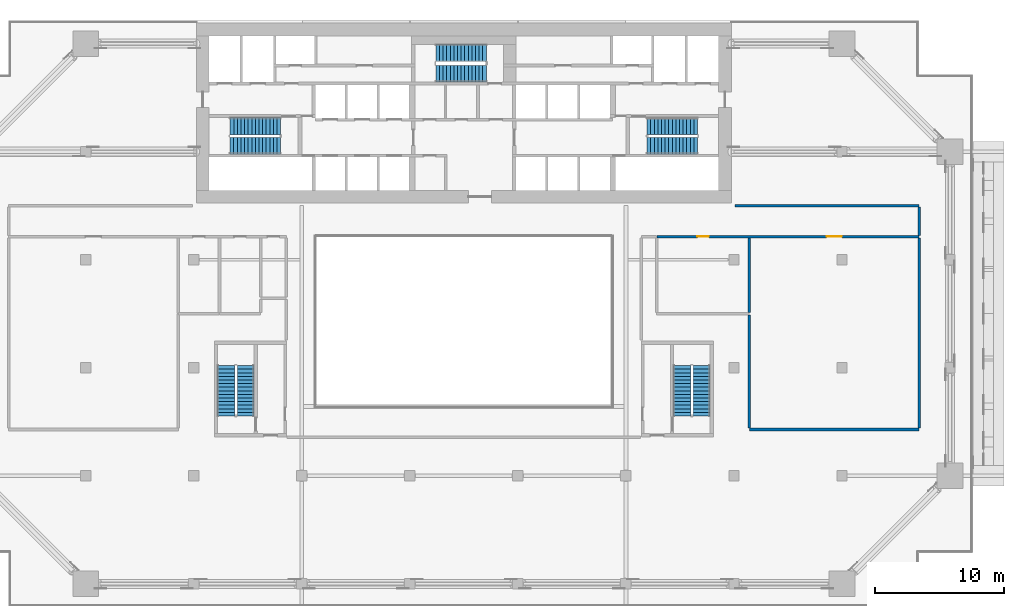
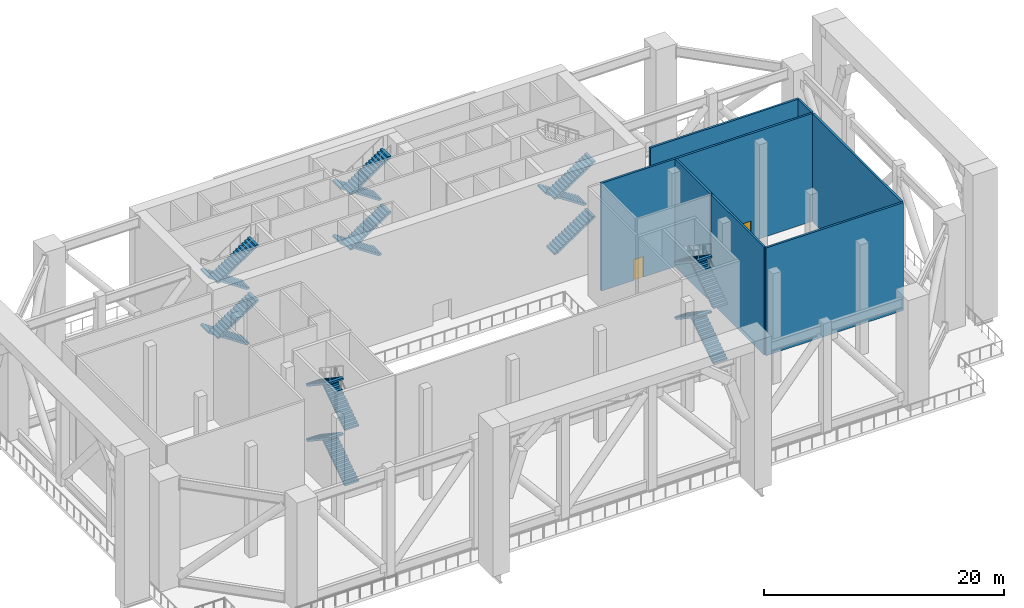
# One storey, part 8 of 19: 19 stair flights, 7 walls, 2 doors, 2 openings, 5 elements without a shape of their own.
"""IFC4 building model written with IfcOpenShell, lengths in metres."""

from ifc_helpers import new_model, si_unit, direction, frame, frame_2d, origin, place, context, subcontext, project, spatial, polyline, rectangle, outline, extrude, material, layer, layer_set, type_object, element, fill, aggregate, save


model = new_model("IFC4")

# Units and contexts
model_context = context("Model", 3, precision=1e-05, world=origin(), true_north=direction((0.0, 1.0)))
body_context = subcontext(model_context, "Body", "Model", "MODEL_VIEW")
ifc_project = project(units=[si_unit("LENGTHUNIT", "METRE"), si_unit("AREAUNIT", "SQUARE_METRE"), si_unit("VOLUMEUNIT", "CUBIC_METRE"), si_unit("PLANEANGLEUNIT", "RADIAN"), si_unit("MASSUNIT", "GRAM", prefix="KILO")], contexts=[model_context])

# Site, building, storey
site_placement = place(None, origin())
site = spatial("IfcSite", under=ifc_project, at=site_placement, CompositionType="ELEMENT")
building_placement = place(site_placement, origin())
building = spatial("IfcBuilding", under=site, at=building_placement, Name="Saffron Gate Tower", CompositionType="ELEMENT")
storey_placement = place(building_placement, frame((0.0, 0.0, 84.0)))
storey = spatial("IfcBuildingStorey", under=building, at=storey_placement, Name="L20", CompositionType="ELEMENT", Elevation=84.0)

# Wall, openings, doors
ifc_material_1 = material(Name="Clay brick masonry, rendered", Category="masonry")
ifc_layer_1 = layer(ifc_material_1, 0.199951171875)
ifc_layer_set_1 = layer_set([ifc_layer_1], Name="PW3 Corridor wall 200")
wall_type_1 = type_object("IfcWallType", Name="PW3 Corridor wall 200", PredefinedType="PARTITIONING", material=ifc_layer_set_1)
wall_1_placement = place(storey_placement, frame((123.0, 58.800048828125, 0.0), z_axis=(0.0, 0.0, 1.0), x_axis=(-1.0, 0.0, 0.0)))
wall_1 = element("IfcWall", 1, at=wall_1_placement, inside=storey, type_object=wall_type_1, Name="Wall X1-9", PredefinedType="PARTITIONING", context=body_context, shape_type="SweptSolid", body=[
    extrude(rectangle(XDim=20.39990234375, YDim=0.199951171875, at=frame_2d((10.199951171875, 0.0))), origin(), (0.0, 0.0, 1.0), 10.969970703125),
])
opening_1_placement = place(wall_1_placement, frame((6.0, 0.0, 0.0)))
opening_1 = element("IfcOpeningElement", 2, at=opening_1_placement, cuts=wall_1, Name="Opening X1-5", PredefinedType="OPENING", context=body_context, shape_type="SweptSolid", body=[
    extrude(rectangle(XDim=1.199951171875, YDim=2.10009765625, at=frame_2d((0.60009765625, 1.050048828125))), frame((0.0, 0.10986328125, 0.0), z_axis=(0.0, -1.0, 0.0), x_axis=(1.0, 0.0, 0.0)), (0.0, 0.0, 1.0), 0.219970703125),
])
opening_2_placement = place(wall_1_placement, frame((16.35009765625, 0.0, 0.0)))
opening_2 = element("IfcOpeningElement", 3, at=opening_2_placement, cuts=wall_1, Name="Opening X1-1", PredefinedType="OPENING", context=body_context, shape_type="SweptSolid", body=[
    extrude(rectangle(XDim=0.89990234375, YDim=2.10009765625, at=frame_2d((0.449951171875, 1.050048828125))), frame((0.0, 0.10986328125, 0.0), z_axis=(0.0, -1.0, 0.0), x_axis=(1.0, 0.0, 0.0)), (0.0, 0.0, 1.0), 0.219970703125),
])
ifc_material_2 = material(Name="Timber door set", Category="wood")
door_type_1 = type_object("IfcDoorType", Name="HD1 Hall door 1200x2100", OperationType="NOTDEFINED", PredefinedType="DOOR", material=ifc_material_2)
door_1_placement = place(opening_1_placement, origin())
door_1 = element("IfcDoor", 4, at=door_1_placement, inside=storey, type_object=door_type_1, Name="Door X1-5", OperationType="SINGLE_SWING_LEFT", OverallHeight=2.10009765625, OverallWidth=1.199951171875, PredefinedType="DOOR", context=body_context, shape_type="SweptSolid", body=[
    extrude(rectangle(XDim=1.199951171875, YDim=2.10009765625, at=frame_2d((0.60009765625, 1.050048828125))), frame((0.0, 0.02490234375, 0.0), z_axis=(0.0, -1.0, 0.0), x_axis=(1.0, 0.0, 0.0)), (0.0, 0.0, 1.0), 0.050048828125),
])
fill(opening_1, door_1)
door_type_2 = type_object("IfcDoorType", Name="RD1 Room door 900x2100", OperationType="NOTDEFINED", PredefinedType="DOOR", material=ifc_material_2)
door_2_placement = place(opening_2_placement, origin())
door_2 = element("IfcDoor", 5, at=door_2_placement, inside=storey, type_object=door_type_2, Name="Door X1-1", OperationType="SINGLE_SWING_LEFT", OverallHeight=2.10009765625, OverallWidth=0.89990234375, PredefinedType="DOOR", context=body_context, shape_type="SweptSolid", body=[
    extrude(rectangle(XDim=0.89990234375, YDim=2.10009765625, at=frame_2d((0.449951171875, 1.050048828125))), frame((0.0, 0.02490234375, 0.0), z_axis=(0.0, -1.0, 0.0), x_axis=(1.0, 0.0, 0.0)), (0.0, 0.0, 1.0), 0.050048828125),
])
fill(opening_2, door_2)

# Walls
ifc_layer_2 = layer(ifc_material_1, 0.199951171875)
ifc_layer_set_2 = layer_set([ifc_layer_2], Name="PW5 Room wall 200")
wall_type_2 = type_object("IfcWallType", Name="PW5 Room wall 200", PredefinedType="PARTITIONING", material=ifc_layer_set_2)
wall_2_placement = place(storey_placement, frame((109.800048828125, 43.800048828125, 0.0), z_axis=(0.0, 0.0, 1.0), x_axis=(1.0, 0.0, 0.0)))
element("IfcWall", 6, at=wall_2_placement, inside=storey, type_object=wall_type_2, Name="Wall X1-3", PredefinedType="PARTITIONING", context=body_context, shape_type="SweptSolid", body=[
    extrude(rectangle(XDim=13.199951171875, YDim=0.199951171875, at=frame_2d((6.60009765625, 0.0))), origin(), (0.0, 0.0, 1.0), 10.969970703125),
])
wall_3_placement = place(storey_placement, frame((108.699951171875, 61.199951171875, 0.0), z_axis=(0.0, 0.0, 1.0), x_axis=(1.0, 0.0, 0.0)))
element("IfcWall", 7, at=wall_3_placement, inside=storey, type_object=wall_type_2, Name="Wall X1-12", PredefinedType="PARTITIONING", context=body_context, shape_type="SweptSolid", body=[
    extrude(rectangle(XDim=14.300048828125, YDim=0.199951171875, at=frame_2d((7.14990234375, 0.0))), origin(), (0.0, 0.0, 1.0), 10.969970703125),
])
wall_4_placement = place(storey_placement, frame((109.800048828125, 52.699951171875, 0.0), z_axis=(0.0, 0.0, 1.0), x_axis=(0.0, -1.0, 0.0)))
element("IfcWall", 8, at=wall_4_placement, inside=storey, type_object=wall_type_2, Name="Wall X1-24", PredefinedType="PARTITIONING", context=body_context, shape_type="SweptSolid", body=[
    extrude(rectangle(XDim=8.800048828125, YDim=0.199951171875, at=frame_2d((4.39990234375, 0.0))), origin(), (0.0, 0.0, 1.0), 10.969970703125),
])
wall_5_placement = place(storey_placement, frame((109.800048828125, 58.699951171875, 0.0), z_axis=(0.0, 0.0, 1.0), x_axis=(0.0, -1.0, 0.0)))
element("IfcWall", 9, at=wall_5_placement, inside=storey, type_object=wall_type_2, Name="Wall X1-25", PredefinedType="PARTITIONING", context=body_context, shape_type="SweptSolid", body=[
    extrude(rectangle(XDim=5.800048828125, YDim=0.199951171875, at=frame_2d((2.89990234375, 0.0))), origin(), (0.0, 0.0, 1.0), 10.969970703125),
])
wall_6_placement = place(storey_placement, frame((123.0, 58.699951171875, 0.0), z_axis=(0.0, 0.0, 1.0), x_axis=(0.0, -1.0, 0.0)))
element("IfcWall", 10, at=wall_6_placement, inside=storey, type_object=wall_type_2, Name="Wall X1-26", PredefinedType="PARTITIONING", context=body_context, shape_type="SweptSolid", body=[
    extrude(rectangle(XDim=14.800048828125, YDim=0.199951171875, at=frame_2d((7.39990234375, 0.0))), origin(), (0.0, 0.0, 1.0), 10.969970703125),
])
wall_7_placement = place(storey_placement, frame((123.0, 61.10009765625, 0.0), z_axis=(0.0, 0.0, 1.0), x_axis=(0.0, -1.0, 0.0)))
element("IfcWall", 11, at=wall_7_placement, inside=storey, type_object=wall_type_2, Name="Wall X1-27", PredefinedType="PARTITIONING", context=body_context, shape_type="SweptSolid", body=[
    extrude(rectangle(XDim=2.2001953125, YDim=0.199951171875, at=frame_2d((1.10009765625, 0.0))), origin(), (0.0, 0.0, 1.0), 10.969970703125),
])

# Stair, stair flights
ifc_material_3 = material(Name="Concrete C40", Category="concrete")
stair_type = type_object("IfcStairType", Name="ST8 Stair 1350 wide, 60 risers of 188", PredefinedType="HALF_TURN_STAIR", material=ifc_material_3)
stair_1_placement = place(storey_placement, origin())
stair_1 = element("IfcStair", 12, at=stair_1_placement, inside=storey, type_object=stair_type, Name="L20 Exit stair A", PredefinedType="HALF_TURN_STAIR")
stair_flight_type = type_object("IfcStairFlightType", Name="SF2 Stair flight 1350 wide, riser 188 going 280", PredefinedType="STRAIGHT", material=ifc_material_3)
stair_flight_1_placement = place(storey_placement, frame((73.35009765625, 67.375, 0.0), z_axis=(0.0, 0.0, 1.0), x_axis=(-1.0, 0.0, 0.0)))
stair_flight_1 = element("IfcStairFlight", 13, at=stair_flight_1_placement, type_object=stair_flight_type, Name="ST-A flight 1", NumberOfRisers=15, NumberOfTreads=14, PredefinedType="STRAIGHT", RiserHeight=0.1875, TreadLength=0.28, context=body_context, shape_type="SweptSolid", body=[
    extrude(outline(polyline([(0.0, 0.0), (0.0, 0.1875), (0.280029296875, 0.1875), (0.280029296875, 0.375), (0.56005859375, 0.375), (0.56005859375, 0.5625), (0.840087890625, 0.5625), (0.840087890625, 0.75), (1.1201171875, 0.75), (1.1201171875, 0.9375), (1.39990234375, 0.9375), (1.39990234375, 1.125), (1.679931640625, 1.125), (1.679931640625, 1.3125), (1.9599609375, 1.3125), (1.9599609375, 1.5), (2.239990234375, 1.5), (2.239990234375, 1.6875), (2.52001953125, 1.6875), (2.52001953125, 1.875), (2.800048828125, 1.875), (2.800048828125, 2.0625), (3.080078125, 2.0625), (3.080078125, 2.25), (3.360107421875, 2.25), (3.360107421875, 2.4375), (3.639892578125, 2.4375), (3.639892578125, 2.625), (3.919921875, 2.625), (3.919921875, 2.8125), (3.919921875, 2.444580078125), (0.26953125, 0.0), (0.0, 0.0)])), frame((0.0, 0.675048828125, 0.0), z_axis=(0.0, -1.0, 0.0), x_axis=(1.0, 0.0, 0.0)), (0.0, 0.0, 1.0), 1.35009765625),
])
stair_flight_2_placement = place(storey_placement, frame((69.429931640625, 65.875, 2.8125), z_axis=(0.0, 0.0, 1.0), x_axis=(1.0, 0.0, 0.0)))
stair_flight_2 = element("IfcStairFlight", 14, at=stair_flight_2_placement, type_object=stair_flight_type, Name="ST-A flight 2", NumberOfRisers=15, NumberOfTreads=14, PredefinedType="STRAIGHT", RiserHeight=0.1875, TreadLength=0.28, context=body_context, shape_type="SweptSolid", body=[
    extrude(outline(polyline([(0.0, 0.0), (0.0, 0.1875), (0.280029296875, 0.1875), (0.280029296875, 0.375), (0.56005859375, 0.375), (0.56005859375, 0.5625), (0.840087890625, 0.5625), (0.840087890625, 0.75), (1.1201171875, 0.75), (1.1201171875, 0.9375), (1.39990234375, 0.9375), (1.39990234375, 1.125), (1.679931640625, 1.125), (1.679931640625, 1.3125), (1.9599609375, 1.3125), (1.9599609375, 1.5), (2.239990234375, 1.5), (2.239990234375, 1.6875), (2.52001953125, 1.6875), (2.52001953125, 1.875), (2.800048828125, 1.875), (2.800048828125, 2.0625), (3.080078125, 2.0625), (3.080078125, 2.25), (3.360107421875, 2.25), (3.360107421875, 2.4375), (3.639892578125, 2.4375), (3.639892578125, 2.625), (3.919921875, 2.625), (3.919921875, 2.8125), (3.919921875, 2.444580078125), (0.26953125, 0.0), (0.0, 0.0)])), frame((0.0, 0.675048828125, 0.0), z_axis=(0.0, -1.0, 0.0), x_axis=(1.0, 0.0, 0.0)), (0.0, 0.0, 1.0), 1.35009765625),
])
stair_flight_3_placement = place(storey_placement, frame((73.35009765625, 67.375, 5.625), z_axis=(0.0, 0.0, 1.0), x_axis=(-1.0, 0.0, 0.0)))
stair_flight_3 = element("IfcStairFlight", 15, at=stair_flight_3_placement, type_object=stair_flight_type, Name="ST-A flight 3", NumberOfRisers=15, NumberOfTreads=14, PredefinedType="STRAIGHT", RiserHeight=0.1875, TreadLength=0.28, context=body_context, shape_type="SweptSolid", body=[
    extrude(outline(polyline([(0.0, 0.0), (0.0, 0.1875), (0.280029296875, 0.1875), (0.280029296875, 0.375), (0.56005859375, 0.375), (0.56005859375, 0.5625), (0.840087890625, 0.5625), (0.840087890625, 0.75), (1.1201171875, 0.75), (1.1201171875, 0.9375), (1.39990234375, 0.9375), (1.39990234375, 1.125), (1.679931640625, 1.125), (1.679931640625, 1.3125), (1.9599609375, 1.3125), (1.9599609375, 1.5), (2.239990234375, 1.5), (2.239990234375, 1.6875), (2.52001953125, 1.6875), (2.52001953125, 1.875), (2.800048828125, 1.875), (2.800048828125, 2.0625), (3.080078125, 2.0625), (3.080078125, 2.25), (3.360107421875, 2.25), (3.360107421875, 2.4375), (3.639892578125, 2.4375), (3.639892578125, 2.625), (3.919921875, 2.625), (3.919921875, 2.8125), (3.919921875, 2.444580078125), (0.26953125, 0.0), (0.0, 0.0)])), frame((0.0, 0.675048828125, 0.0), z_axis=(0.0, -1.0, 0.0), x_axis=(1.0, 0.0, 0.0)), (0.0, 0.0, 1.0), 1.35009765625),
])
stair_flight_4_placement = place(storey_placement, frame((69.429931640625, 65.875, 8.4375), z_axis=(0.0, 0.0, 1.0), x_axis=(1.0, 0.0, 0.0)))
stair_flight_4 = element("IfcStairFlight", 16, at=stair_flight_4_placement, type_object=stair_flight_type, Name="ST-A flight 4", NumberOfRisers=15, NumberOfTreads=14, PredefinedType="STRAIGHT", RiserHeight=0.1875, TreadLength=0.28, context=body_context, shape_type="SweptSolid", body=[
    extrude(outline(polyline([(0.0, 0.0), (0.0, 0.1875), (0.280029296875, 0.1875), (0.280029296875, 0.375), (0.56005859375, 0.375), (0.56005859375, 0.5625), (0.840087890625, 0.5625), (0.840087890625, 0.75), (1.1201171875, 0.75), (1.1201171875, 0.9375), (1.39990234375, 0.9375), (1.39990234375, 1.125), (1.679931640625, 1.125), (1.679931640625, 1.3125), (1.9599609375, 1.3125), (1.9599609375, 1.5), (2.239990234375, 1.5), (2.239990234375, 1.6875), (2.52001953125, 1.6875), (2.52001953125, 1.875), (2.800048828125, 1.875), (2.800048828125, 2.0625), (3.080078125, 2.0625), (3.080078125, 2.25), (3.360107421875, 2.25), (3.360107421875, 2.4375), (3.639892578125, 2.4375), (3.639892578125, 2.625), (3.919921875, 2.625), (3.919921875, 2.8125), (3.919921875, 2.444580078125), (0.26953125, 0.0), (0.0, 0.0)])), frame((0.0, 0.675048828125, 0.0), z_axis=(0.0, -1.0, 0.0), x_axis=(1.0, 0.0, 0.0)), (0.0, 0.0, 1.0), 1.35009765625),
])
aggregate(stair_1, [stair_flight_1, stair_flight_2, stair_flight_3, stair_flight_4])

stair_2_placement = place(storey_placement, origin())
stair_2 = element("IfcStair", 17, at=stair_2_placement, inside=storey, type_object=stair_type, Name="L20 Exit stair B", PredefinedType="HALF_TURN_STAIR")
stair_flight_5_placement = place(storey_placement, frame((101.85009765625, 65.875, 0.0), z_axis=(0.0, 0.0, 1.0), x_axis=(1.0, 0.0, 0.0)))
stair_flight_5 = element("IfcStairFlight", 18, at=stair_flight_5_placement, type_object=stair_flight_type, Name="ST-B flight 1", NumberOfRisers=15, NumberOfTreads=14, PredefinedType="STRAIGHT", RiserHeight=0.1875, TreadLength=0.28, context=body_context, shape_type="SweptSolid", body=[
    extrude(outline(polyline([(0.0, 0.0), (0.0, 0.1875), (0.280029296875, 0.1875), (0.280029296875, 0.375), (0.56005859375, 0.375), (0.56005859375, 0.5625), (0.840087890625, 0.5625), (0.840087890625, 0.75), (1.1201171875, 0.75), (1.1201171875, 0.9375), (1.39990234375, 0.9375), (1.39990234375, 1.125), (1.679931640625, 1.125), (1.679931640625, 1.3125), (1.9599609375, 1.3125), (1.9599609375, 1.5), (2.239990234375, 1.5), (2.239990234375, 1.6875), (2.52001953125, 1.6875), (2.52001953125, 1.875), (2.800048828125, 1.875), (2.800048828125, 2.0625), (3.080078125, 2.0625), (3.080078125, 2.25), (3.360107421875, 2.25), (3.360107421875, 2.4375), (3.639892578125, 2.4375), (3.639892578125, 2.625), (3.919921875, 2.625), (3.919921875, 2.8125), (3.919921875, 2.444580078125), (0.26953125, 0.0), (0.0, 0.0)])), frame((0.0, 0.675048828125, 0.0), z_axis=(0.0, -1.0, 0.0), x_axis=(1.0, 0.0, 0.0)), (0.0, 0.0, 1.0), 1.35009765625),
])
stair_flight_6_placement = place(storey_placement, frame((105.77001953125, 67.375, 2.8125), z_axis=(0.0, 0.0, 1.0), x_axis=(-1.0, 0.0, 0.0)))
stair_flight_6 = element("IfcStairFlight", 19, at=stair_flight_6_placement, type_object=stair_flight_type, Name="ST-B flight 2", NumberOfRisers=15, NumberOfTreads=14, PredefinedType="STRAIGHT", RiserHeight=0.1875, TreadLength=0.28, context=body_context, shape_type="SweptSolid", body=[
    extrude(outline(polyline([(0.0, 0.0), (0.0, 0.1875), (0.280029296875, 0.1875), (0.280029296875, 0.375), (0.56005859375, 0.375), (0.56005859375, 0.5625), (0.840087890625, 0.5625), (0.840087890625, 0.75), (1.1201171875, 0.75), (1.1201171875, 0.9375), (1.39990234375, 0.9375), (1.39990234375, 1.125), (1.679931640625, 1.125), (1.679931640625, 1.3125), (1.9599609375, 1.3125), (1.9599609375, 1.5), (2.239990234375, 1.5), (2.239990234375, 1.6875), (2.52001953125, 1.6875), (2.52001953125, 1.875), (2.800048828125, 1.875), (2.800048828125, 2.0625), (3.080078125, 2.0625), (3.080078125, 2.25), (3.360107421875, 2.25), (3.360107421875, 2.4375), (3.639892578125, 2.4375), (3.639892578125, 2.625), (3.919921875, 2.625), (3.919921875, 2.8125), (3.919921875, 2.444580078125), (0.26953125, 0.0), (0.0, 0.0)])), frame((0.0, 0.675048828125, 0.0), z_axis=(0.0, -1.0, 0.0), x_axis=(1.0, 0.0, 0.0)), (0.0, 0.0, 1.0), 1.35009765625),
])
stair_flight_7_placement = place(storey_placement, frame((101.85009765625, 65.875, 5.625), z_axis=(0.0, 0.0, 1.0), x_axis=(1.0, 0.0, 0.0)))
stair_flight_7 = element("IfcStairFlight", 20, at=stair_flight_7_placement, type_object=stair_flight_type, Name="ST-B flight 3", NumberOfRisers=15, NumberOfTreads=14, PredefinedType="STRAIGHT", RiserHeight=0.1875, TreadLength=0.28, context=body_context, shape_type="SweptSolid", body=[
    extrude(outline(polyline([(0.0, 0.0), (0.0, 0.1875), (0.280029296875, 0.1875), (0.280029296875, 0.375), (0.56005859375, 0.375), (0.56005859375, 0.5625), (0.840087890625, 0.5625), (0.840087890625, 0.75), (1.1201171875, 0.75), (1.1201171875, 0.9375), (1.39990234375, 0.9375), (1.39990234375, 1.125), (1.679931640625, 1.125), (1.679931640625, 1.3125), (1.9599609375, 1.3125), (1.9599609375, 1.5), (2.239990234375, 1.5), (2.239990234375, 1.6875), (2.52001953125, 1.6875), (2.52001953125, 1.875), (2.800048828125, 1.875), (2.800048828125, 2.0625), (3.080078125, 2.0625), (3.080078125, 2.25), (3.360107421875, 2.25), (3.360107421875, 2.4375), (3.639892578125, 2.4375), (3.639892578125, 2.625), (3.919921875, 2.625), (3.919921875, 2.8125), (3.919921875, 2.444580078125), (0.26953125, 0.0), (0.0, 0.0)])), frame((0.0, 0.675048828125, 0.0), z_axis=(0.0, -1.0, 0.0), x_axis=(1.0, 0.0, 0.0)), (0.0, 0.0, 1.0), 1.35009765625),
])
aggregate(stair_2, [stair_flight_5, stair_flight_6, stair_flight_7])

stair_3_placement = place(storey_placement, origin())
stair_3 = element("IfcStair", 21, at=stair_3_placement, inside=storey, type_object=stair_type, Name="L20 Exit stair C", PredefinedType="HALF_TURN_STAIR")
stair_flight_8_placement = place(storey_placement, frame((89.35009765625, 73.074951171875, 0.0), z_axis=(0.0, 0.0, 1.0), x_axis=(-1.0, 0.0, 0.0)))
stair_flight_8 = element("IfcStairFlight", 22, at=stair_flight_8_placement, type_object=stair_flight_type, Name="ST-C flight 1", NumberOfRisers=15, NumberOfTreads=14, PredefinedType="STRAIGHT", RiserHeight=0.1875, TreadLength=0.28, context=body_context, shape_type="SweptSolid", body=[
    extrude(outline(polyline([(0.0, 0.0), (0.0, 0.1875), (0.280029296875, 0.1875), (0.280029296875, 0.375), (0.56005859375, 0.375), (0.56005859375, 0.5625), (0.840087890625, 0.5625), (0.840087890625, 0.75), (1.1201171875, 0.75), (1.1201171875, 0.9375), (1.39990234375, 0.9375), (1.39990234375, 1.125), (1.679931640625, 1.125), (1.679931640625, 1.3125), (1.9599609375, 1.3125), (1.9599609375, 1.5), (2.239990234375, 1.5), (2.239990234375, 1.6875), (2.52001953125, 1.6875), (2.52001953125, 1.875), (2.800048828125, 1.875), (2.800048828125, 2.0625), (3.080078125, 2.0625), (3.080078125, 2.25), (3.360107421875, 2.25), (3.360107421875, 2.4375), (3.639892578125, 2.4375), (3.639892578125, 2.625), (3.919921875, 2.625), (3.919921875, 2.8125), (3.919921875, 2.444580078125), (0.26953125, 0.0), (0.0, 0.0)])), frame((0.0, 0.675048828125, 0.0), z_axis=(0.0, -1.0, 0.0), x_axis=(1.0, 0.0, 0.0)), (0.0, 0.0, 1.0), 1.35009765625),
])
stair_flight_9_placement = place(storey_placement, frame((85.429931640625, 71.47509765625, 2.8125), z_axis=(0.0, 0.0, 1.0), x_axis=(1.0, 0.0, 0.0)))
stair_flight_9 = element("IfcStairFlight", 23, at=stair_flight_9_placement, type_object=stair_flight_type, Name="ST-C flight 2", NumberOfRisers=15, NumberOfTreads=14, PredefinedType="STRAIGHT", RiserHeight=0.1875, TreadLength=0.28, context=body_context, shape_type="SweptSolid", body=[
    extrude(outline(polyline([(0.0, 0.0), (0.0, 0.1875), (0.280029296875, 0.1875), (0.280029296875, 0.375), (0.56005859375, 0.375), (0.56005859375, 0.5625), (0.840087890625, 0.5625), (0.840087890625, 0.75), (1.1201171875, 0.75), (1.1201171875, 0.9375), (1.39990234375, 0.9375), (1.39990234375, 1.125), (1.679931640625, 1.125), (1.679931640625, 1.3125), (1.9599609375, 1.3125), (1.9599609375, 1.5), (2.239990234375, 1.5), (2.239990234375, 1.6875), (2.52001953125, 1.6875), (2.52001953125, 1.875), (2.800048828125, 1.875), (2.800048828125, 2.0625), (3.080078125, 2.0625), (3.080078125, 2.25), (3.360107421875, 2.25), (3.360107421875, 2.4375), (3.639892578125, 2.4375), (3.639892578125, 2.625), (3.919921875, 2.625), (3.919921875, 2.8125), (3.919921875, 2.444580078125), (0.26953125, 0.0), (0.0, 0.0)])), frame((0.0, 0.675048828125, 0.0), z_axis=(0.0, -1.0, 0.0), x_axis=(1.0, 0.0, 0.0)), (0.0, 0.0, 1.0), 1.35009765625),
])
stair_flight_10_placement = place(storey_placement, frame((89.35009765625, 73.074951171875, 5.625), z_axis=(0.0, 0.0, 1.0), x_axis=(-1.0, 0.0, 0.0)))
stair_flight_10 = element("IfcStairFlight", 24, at=stair_flight_10_placement, type_object=stair_flight_type, Name="ST-C flight 3", NumberOfRisers=15, NumberOfTreads=14, PredefinedType="STRAIGHT", RiserHeight=0.1875, TreadLength=0.28, context=body_context, shape_type="SweptSolid", body=[
    extrude(outline(polyline([(0.0, 0.0), (0.0, 0.1875), (0.280029296875, 0.1875), (0.280029296875, 0.375), (0.56005859375, 0.375), (0.56005859375, 0.5625), (0.840087890625, 0.5625), (0.840087890625, 0.75), (1.1201171875, 0.75), (1.1201171875, 0.9375), (1.39990234375, 0.9375), (1.39990234375, 1.125), (1.679931640625, 1.125), (1.679931640625, 1.3125), (1.9599609375, 1.3125), (1.9599609375, 1.5), (2.239990234375, 1.5), (2.239990234375, 1.6875), (2.52001953125, 1.6875), (2.52001953125, 1.875), (2.800048828125, 1.875), (2.800048828125, 2.0625), (3.080078125, 2.0625), (3.080078125, 2.25), (3.360107421875, 2.25), (3.360107421875, 2.4375), (3.639892578125, 2.4375), (3.639892578125, 2.625), (3.919921875, 2.625), (3.919921875, 2.8125), (3.919921875, 2.444580078125), (0.26953125, 0.0), (0.0, 0.0)])), frame((0.0, 0.675048828125, 0.0), z_axis=(0.0, -1.0, 0.0), x_axis=(1.0, 0.0, 0.0)), (0.0, 0.0, 1.0), 1.35009765625),
])
stair_flight_11_placement = place(storey_placement, frame((85.429931640625, 71.47509765625, 8.4375), z_axis=(0.0, 0.0, 1.0), x_axis=(1.0, 0.0, 0.0)))
stair_flight_11 = element("IfcStairFlight", 25, at=stair_flight_11_placement, type_object=stair_flight_type, Name="ST-C flight 4", NumberOfRisers=15, NumberOfTreads=14, PredefinedType="STRAIGHT", RiserHeight=0.1875, TreadLength=0.28, context=body_context, shape_type="SweptSolid", body=[
    extrude(outline(polyline([(0.0, 0.0), (0.0, 0.1875), (0.280029296875, 0.1875), (0.280029296875, 0.375), (0.56005859375, 0.375), (0.56005859375, 0.5625), (0.840087890625, 0.5625), (0.840087890625, 0.75), (1.1201171875, 0.75), (1.1201171875, 0.9375), (1.39990234375, 0.9375), (1.39990234375, 1.125), (1.679931640625, 1.125), (1.679931640625, 1.3125), (1.9599609375, 1.3125), (1.9599609375, 1.5), (2.239990234375, 1.5), (2.239990234375, 1.6875), (2.52001953125, 1.6875), (2.52001953125, 1.875), (2.800048828125, 1.875), (2.800048828125, 2.0625), (3.080078125, 2.0625), (3.080078125, 2.25), (3.360107421875, 2.25), (3.360107421875, 2.4375), (3.639892578125, 2.4375), (3.639892578125, 2.625), (3.919921875, 2.625), (3.919921875, 2.8125), (3.919921875, 2.444580078125), (0.26953125, 0.0), (0.0, 0.0)])), frame((0.0, 0.675048828125, 0.0), z_axis=(0.0, -1.0, 0.0), x_axis=(1.0, 0.0, 0.0)), (0.0, 0.0, 1.0), 1.35009765625),
])
aggregate(stair_3, [stair_flight_8, stair_flight_9, stair_flight_10, stair_flight_11])

stair_4_placement = place(storey_placement, origin())
stair_4 = element("IfcStair", 26, at=stair_4_placement, inside=storey, type_object=stair_type, Name="L20 Exit stair D", PredefinedType="HALF_TURN_STAIR")
stair_flight_12_placement = place(storey_placement, frame((70.625, 44.85009765625, 0.0), z_axis=(0.0, 0.0, 1.0), x_axis=(0.0, 1.0, 0.0)))
stair_flight_12 = element("IfcStairFlight", 27, at=stair_flight_12_placement, type_object=stair_flight_type, Name="ST-D flight 1", NumberOfRisers=15, NumberOfTreads=14, PredefinedType="STRAIGHT", RiserHeight=0.1875, TreadLength=0.28, context=body_context, shape_type="SweptSolid", body=[
    extrude(outline(polyline([(0.0, 0.0), (0.0, 0.1875), (0.280029296875, 0.1875), (0.280029296875, 0.375), (0.56005859375, 0.375), (0.56005859375, 0.5625), (0.840087890625, 0.5625), (0.840087890625, 0.75), (1.1201171875, 0.75), (1.1201171875, 0.9375), (1.39990234375, 0.9375), (1.39990234375, 1.125), (1.679931640625, 1.125), (1.679931640625, 1.3125), (1.9599609375, 1.3125), (1.9599609375, 1.5), (2.239990234375, 1.5), (2.239990234375, 1.6875), (2.52001953125, 1.6875), (2.52001953125, 1.875), (2.800048828125, 1.875), (2.800048828125, 2.0625), (3.080078125, 2.0625), (3.080078125, 2.25), (3.360107421875, 2.25), (3.360107421875, 2.4375), (3.639892578125, 2.4375), (3.639892578125, 2.625), (3.919921875, 2.625), (3.919921875, 2.8125), (3.919921875, 2.444580078125), (0.26953125, 0.0), (0.0, 0.0)])), frame((0.0, 0.675048828125, 0.0), z_axis=(0.0, -1.0, 0.0), x_axis=(1.0, 0.0, 0.0)), (0.0, 0.0, 1.0), 1.35009765625),
])
stair_flight_13_placement = place(storey_placement, frame((69.125, 48.77001953125, 2.8125), z_axis=(0.0, 0.0, 1.0), x_axis=(0.0, -1.0, 0.0)))
stair_flight_13 = element("IfcStairFlight", 28, at=stair_flight_13_placement, type_object=stair_flight_type, Name="ST-D flight 2", NumberOfRisers=15, NumberOfTreads=14, PredefinedType="STRAIGHT", RiserHeight=0.1875, TreadLength=0.28, context=body_context, shape_type="SweptSolid", body=[
    extrude(outline(polyline([(0.0, 0.0), (0.0, 0.1875), (0.280029296875, 0.1875), (0.280029296875, 0.375), (0.56005859375, 0.375), (0.56005859375, 0.5625), (0.840087890625, 0.5625), (0.840087890625, 0.75), (1.1201171875, 0.75), (1.1201171875, 0.9375), (1.39990234375, 0.9375), (1.39990234375, 1.125), (1.679931640625, 1.125), (1.679931640625, 1.3125), (1.9599609375, 1.3125), (1.9599609375, 1.5), (2.239990234375, 1.5), (2.239990234375, 1.6875), (2.52001953125, 1.6875), (2.52001953125, 1.875), (2.800048828125, 1.875), (2.800048828125, 2.0625), (3.080078125, 2.0625), (3.080078125, 2.25), (3.360107421875, 2.25), (3.360107421875, 2.4375), (3.639892578125, 2.4375), (3.639892578125, 2.625), (3.919921875, 2.625), (3.919921875, 2.8125), (3.919921875, 2.444580078125), (0.26953125, 0.0), (0.0, 0.0)])), frame((0.0, 0.675048828125, 0.0), z_axis=(0.0, -1.0, 0.0), x_axis=(1.0, 0.0, 0.0)), (0.0, 0.0, 1.0), 1.35009765625),
])
stair_flight_14_placement = place(storey_placement, frame((70.625, 44.85009765625, 5.625), z_axis=(0.0, 0.0, 1.0), x_axis=(0.0, 1.0, 0.0)))
stair_flight_14 = element("IfcStairFlight", 29, at=stair_flight_14_placement, type_object=stair_flight_type, Name="ST-D flight 3", NumberOfRisers=15, NumberOfTreads=14, PredefinedType="STRAIGHT", RiserHeight=0.1875, TreadLength=0.28, context=body_context, shape_type="SweptSolid", body=[
    extrude(outline(polyline([(0.0, 0.0), (0.0, 0.1875), (0.280029296875, 0.1875), (0.280029296875, 0.375), (0.56005859375, 0.375), (0.56005859375, 0.5625), (0.840087890625, 0.5625), (0.840087890625, 0.75), (1.1201171875, 0.75), (1.1201171875, 0.9375), (1.39990234375, 0.9375), (1.39990234375, 1.125), (1.679931640625, 1.125), (1.679931640625, 1.3125), (1.9599609375, 1.3125), (1.9599609375, 1.5), (2.239990234375, 1.5), (2.239990234375, 1.6875), (2.52001953125, 1.6875), (2.52001953125, 1.875), (2.800048828125, 1.875), (2.800048828125, 2.0625), (3.080078125, 2.0625), (3.080078125, 2.25), (3.360107421875, 2.25), (3.360107421875, 2.4375), (3.639892578125, 2.4375), (3.639892578125, 2.625), (3.919921875, 2.625), (3.919921875, 2.8125), (3.919921875, 2.444580078125), (0.26953125, 0.0), (0.0, 0.0)])), frame((0.0, 0.675048828125, 0.0), z_axis=(0.0, -1.0, 0.0), x_axis=(1.0, 0.0, 0.0)), (0.0, 0.0, 1.0), 1.35009765625),
])
stair_flight_15_placement = place(storey_placement, frame((69.125, 48.77001953125, 8.4375), z_axis=(0.0, 0.0, 1.0), x_axis=(0.0, -1.0, 0.0)))
stair_flight_15 = element("IfcStairFlight", 30, at=stair_flight_15_placement, type_object=stair_flight_type, Name="ST-D flight 4", NumberOfRisers=15, NumberOfTreads=14, PredefinedType="STRAIGHT", RiserHeight=0.1875, TreadLength=0.28, context=body_context, shape_type="SweptSolid", body=[
    extrude(outline(polyline([(0.0, 0.0), (0.0, 0.1875), (0.280029296875, 0.1875), (0.280029296875, 0.375), (0.56005859375, 0.375), (0.56005859375, 0.5625), (0.840087890625, 0.5625), (0.840087890625, 0.75), (1.1201171875, 0.75), (1.1201171875, 0.9375), (1.39990234375, 0.9375), (1.39990234375, 1.125), (1.679931640625, 1.125), (1.679931640625, 1.3125), (1.9599609375, 1.3125), (1.9599609375, 1.5), (2.239990234375, 1.5), (2.239990234375, 1.6875), (2.52001953125, 1.6875), (2.52001953125, 1.875), (2.800048828125, 1.875), (2.800048828125, 2.0625), (3.080078125, 2.0625), (3.080078125, 2.25), (3.360107421875, 2.25), (3.360107421875, 2.4375), (3.639892578125, 2.4375), (3.639892578125, 2.625), (3.919921875, 2.625), (3.919921875, 2.8125), (3.919921875, 2.444580078125), (0.26953125, 0.0), (0.0, 0.0)])), frame((0.0, 0.675048828125, 0.0), z_axis=(0.0, -1.0, 0.0), x_axis=(1.0, 0.0, 0.0)), (0.0, 0.0, 1.0), 1.35009765625),
])
aggregate(stair_4, [stair_flight_12, stair_flight_13, stair_flight_14, stair_flight_15])

stair_5_placement = place(storey_placement, origin())
stair_5 = element("IfcStair", 31, at=stair_5_placement, inside=storey, type_object=stair_type, Name="L20 Exit stair E", PredefinedType="HALF_TURN_STAIR")
stair_flight_16_placement = place(storey_placement, frame((106.074951171875, 44.85009765625, 0.0), z_axis=(0.0, 0.0, 1.0), x_axis=(0.0, 1.0, 0.0)))
stair_flight_16 = element("IfcStairFlight", 32, at=stair_flight_16_placement, type_object=stair_flight_type, Name="ST-E flight 1", NumberOfRisers=15, NumberOfTreads=14, PredefinedType="STRAIGHT", RiserHeight=0.1875, TreadLength=0.28, context=body_context, shape_type="SweptSolid", body=[
    extrude(outline(polyline([(0.0, 0.0), (0.0, 0.1875), (0.280029296875, 0.1875), (0.280029296875, 0.375), (0.56005859375, 0.375), (0.56005859375, 0.5625), (0.840087890625, 0.5625), (0.840087890625, 0.75), (1.1201171875, 0.75), (1.1201171875, 0.9375), (1.39990234375, 0.9375), (1.39990234375, 1.125), (1.679931640625, 1.125), (1.679931640625, 1.3125), (1.9599609375, 1.3125), (1.9599609375, 1.5), (2.239990234375, 1.5), (2.239990234375, 1.6875), (2.52001953125, 1.6875), (2.52001953125, 1.875), (2.800048828125, 1.875), (2.800048828125, 2.0625), (3.080078125, 2.0625), (3.080078125, 2.25), (3.360107421875, 2.25), (3.360107421875, 2.4375), (3.639892578125, 2.4375), (3.639892578125, 2.625), (3.919921875, 2.625), (3.919921875, 2.8125), (3.919921875, 2.444580078125), (0.26953125, 0.0), (0.0, 0.0)])), frame((0.0, 0.675048828125, 0.0), z_axis=(0.0, -1.0, 0.0), x_axis=(1.0, 0.0, 0.0)), (0.0, 0.0, 1.0), 1.35009765625),
])
stair_flight_17_placement = place(storey_placement, frame((104.574951171875, 48.77001953125, 2.8125), z_axis=(0.0, 0.0, 1.0), x_axis=(0.0, -1.0, 0.0)))
stair_flight_17 = element("IfcStairFlight", 33, at=stair_flight_17_placement, type_object=stair_flight_type, Name="ST-E flight 2", NumberOfRisers=15, NumberOfTreads=14, PredefinedType="STRAIGHT", RiserHeight=0.1875, TreadLength=0.28, context=body_context, shape_type="SweptSolid", body=[
    extrude(outline(polyline([(0.0, 0.0), (0.0, 0.1875), (0.280029296875, 0.1875), (0.280029296875, 0.375), (0.56005859375, 0.375), (0.56005859375, 0.5625), (0.840087890625, 0.5625), (0.840087890625, 0.75), (1.1201171875, 0.75), (1.1201171875, 0.9375), (1.39990234375, 0.9375), (1.39990234375, 1.125), (1.679931640625, 1.125), (1.679931640625, 1.3125), (1.9599609375, 1.3125), (1.9599609375, 1.5), (2.239990234375, 1.5), (2.239990234375, 1.6875), (2.52001953125, 1.6875), (2.52001953125, 1.875), (2.800048828125, 1.875), (2.800048828125, 2.0625), (3.080078125, 2.0625), (3.080078125, 2.25), (3.360107421875, 2.25), (3.360107421875, 2.4375), (3.639892578125, 2.4375), (3.639892578125, 2.625), (3.919921875, 2.625), (3.919921875, 2.8125), (3.919921875, 2.444580078125), (0.26953125, 0.0), (0.0, 0.0)])), frame((0.0, 0.675048828125, 0.0), z_axis=(0.0, -1.0, 0.0), x_axis=(1.0, 0.0, 0.0)), (0.0, 0.0, 1.0), 1.35009765625),
])
stair_flight_18_placement = place(storey_placement, frame((106.074951171875, 44.85009765625, 5.625), z_axis=(0.0, 0.0, 1.0), x_axis=(0.0, 1.0, 0.0)))
stair_flight_18 = element("IfcStairFlight", 34, at=stair_flight_18_placement, type_object=stair_flight_type, Name="ST-E flight 3", NumberOfRisers=15, NumberOfTreads=14, PredefinedType="STRAIGHT", RiserHeight=0.1875, TreadLength=0.28, context=body_context, shape_type="SweptSolid", body=[
    extrude(outline(polyline([(0.0, 0.0), (0.0, 0.1875), (0.280029296875, 0.1875), (0.280029296875, 0.375), (0.56005859375, 0.375), (0.56005859375, 0.5625), (0.840087890625, 0.5625), (0.840087890625, 0.75), (1.1201171875, 0.75), (1.1201171875, 0.9375), (1.39990234375, 0.9375), (1.39990234375, 1.125), (1.679931640625, 1.125), (1.679931640625, 1.3125), (1.9599609375, 1.3125), (1.9599609375, 1.5), (2.239990234375, 1.5), (2.239990234375, 1.6875), (2.52001953125, 1.6875), (2.52001953125, 1.875), (2.800048828125, 1.875), (2.800048828125, 2.0625), (3.080078125, 2.0625), (3.080078125, 2.25), (3.360107421875, 2.25), (3.360107421875, 2.4375), (3.639892578125, 2.4375), (3.639892578125, 2.625), (3.919921875, 2.625), (3.919921875, 2.8125), (3.919921875, 2.444580078125), (0.26953125, 0.0), (0.0, 0.0)])), frame((0.0, 0.675048828125, 0.0), z_axis=(0.0, -1.0, 0.0), x_axis=(1.0, 0.0, 0.0)), (0.0, 0.0, 1.0), 1.35009765625),
])
stair_flight_19_placement = place(storey_placement, frame((104.574951171875, 48.77001953125, 8.4375), z_axis=(0.0, 0.0, 1.0), x_axis=(0.0, -1.0, 0.0)))
stair_flight_19 = element("IfcStairFlight", 35, at=stair_flight_19_placement, type_object=stair_flight_type, Name="ST-E flight 4", NumberOfRisers=15, NumberOfTreads=14, PredefinedType="STRAIGHT", RiserHeight=0.1875, TreadLength=0.28, context=body_context, shape_type="SweptSolid", body=[
    extrude(outline(polyline([(0.0, 0.0), (0.0, 0.1875), (0.280029296875, 0.1875), (0.280029296875, 0.375), (0.56005859375, 0.375), (0.56005859375, 0.5625), (0.840087890625, 0.5625), (0.840087890625, 0.75), (1.1201171875, 0.75), (1.1201171875, 0.9375), (1.39990234375, 0.9375), (1.39990234375, 1.125), (1.679931640625, 1.125), (1.679931640625, 1.3125), (1.9599609375, 1.3125), (1.9599609375, 1.5), (2.239990234375, 1.5), (2.239990234375, 1.6875), (2.52001953125, 1.6875), (2.52001953125, 1.875), (2.800048828125, 1.875), (2.800048828125, 2.0625), (3.080078125, 2.0625), (3.080078125, 2.25), (3.360107421875, 2.25), (3.360107421875, 2.4375), (3.639892578125, 2.4375), (3.639892578125, 2.625), (3.919921875, 2.625), (3.919921875, 2.8125), (3.919921875, 2.444580078125), (0.26953125, 0.0), (0.0, 0.0)])), frame((0.0, 0.675048828125, 0.0), z_axis=(0.0, -1.0, 0.0), x_axis=(1.0, 0.0, 0.0)), (0.0, 0.0, 1.0), 1.35009765625),
])
aggregate(stair_5, [stair_flight_16, stair_flight_17, stair_flight_18, stair_flight_19])

save(model, "model.ifc")
